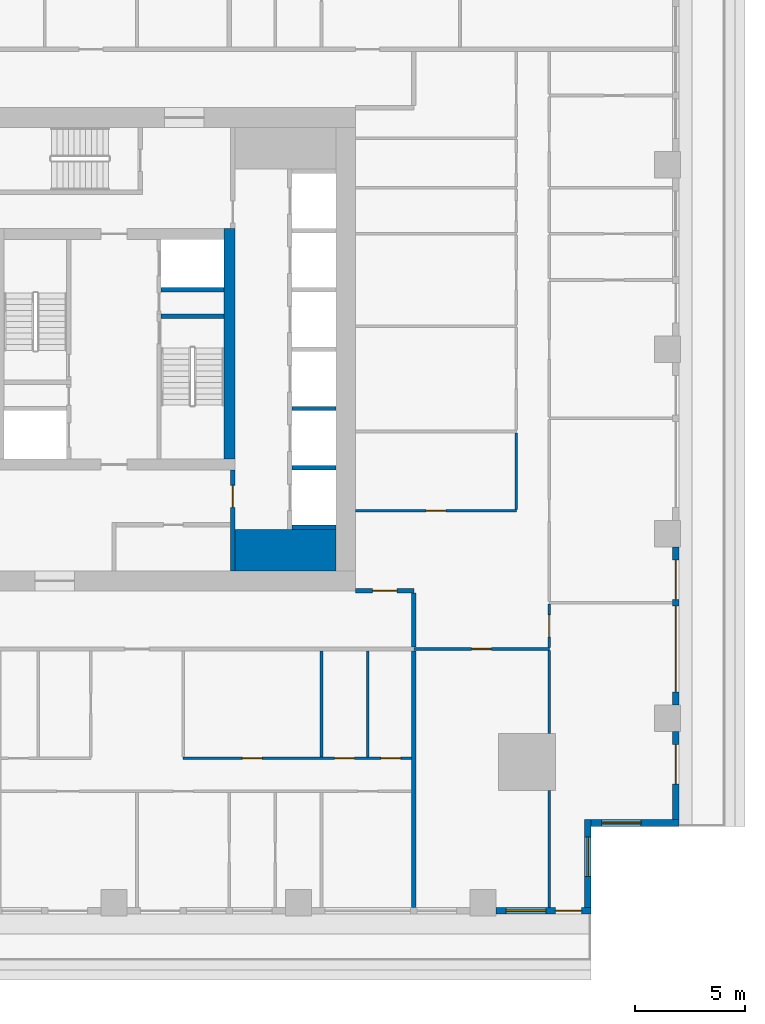
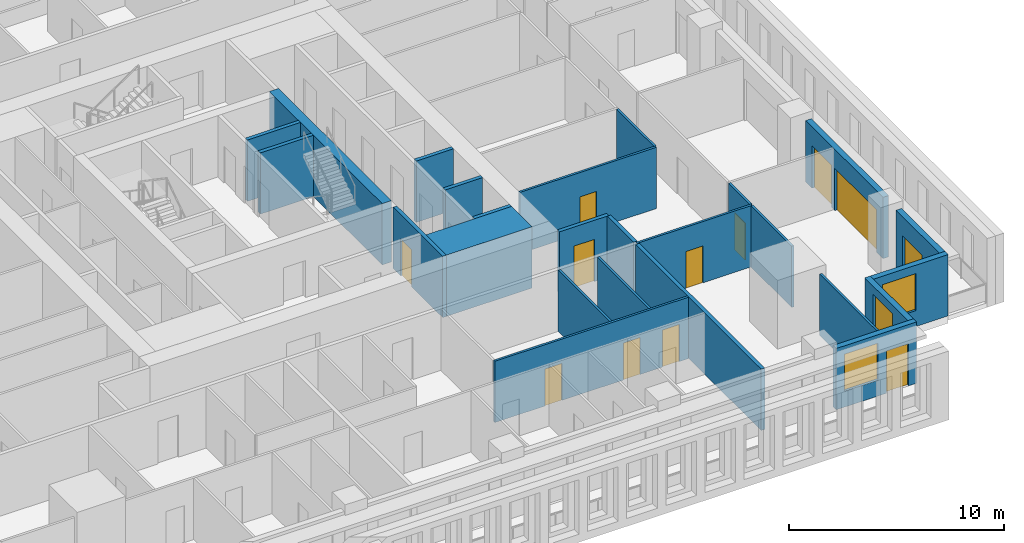
# One storey, part 5 of 16: 25 walls, 12 doors, 3 windows, 15 openings.
"""IFC4 building model written with IfcOpenShell, lengths in metres."""

from ifc_helpers import new_model, si_unit, direction, frame, frame_2d, origin, place, context, subcontext, project, spatial, rectangle, extrude, material, layer, layer_set, type_object, element, fill, save


model = new_model("IFC4")

# Units and contexts
model_context = context("Model", 3, precision=1e-05, world=origin(), true_north=direction((0.0, 1.0)))
body_context = subcontext(model_context, "Body", "Model", "MODEL_VIEW")
ifc_project = project(units=[si_unit("LENGTHUNIT", "METRE"), si_unit("AREAUNIT", "SQUARE_METRE"), si_unit("VOLUMEUNIT", "CUBIC_METRE"), si_unit("PLANEANGLEUNIT", "RADIAN"), si_unit("MASSUNIT", "GRAM", prefix="KILO")], contexts=[model_context])

# Site, building, storey
site_placement = place(None, origin())
site = spatial("IfcSite", under=ifc_project, at=site_placement, CompositionType="ELEMENT")
building_placement = place(site_placement, origin())
building = spatial("IfcBuilding", under=site, at=building_placement, Name="Khepri Terraces", CompositionType="ELEMENT")
storey_placement = place(building_placement, frame((0.0, 0.0, 141.60009765625)))
storey = spatial("IfcBuildingStorey", under=building, at=storey_placement, Name="L33", CompositionType="ELEMENT", Elevation=141.60009765625)

# Walls
ifc_material_1 = material(Name="Concrete C60/75", Category="concrete")
ifc_layer_1 = layer(ifc_material_1, 1.89990234375, Name="Concrete C60/75", Category="concrete")
ifc_layer_set_1 = layer_set([ifc_layer_1], Name="Concrete C60/75")
wall_type_1 = type_object("IfcWallType", Name="Core wall 1900 C60/75", PredefinedType="SHEAR", material=ifc_layer_set_1)
wall_1_placement = place(storey_placement, frame((5.5, -9.14990234375, 0.0), z_axis=(0.0, 0.0, 1.0), x_axis=(1.0, 0.0, 0.0)))
element("IfcWall", 1, at=wall_1_placement, inside=storey, type_object=wall_type_1, Name="Core wall PR02 L33", PredefinedType="SHEAR", context=body_context, shape_type="SweptSolid", body=[
    extrude(rectangle(XDim=4.60009765625, YDim=1.89990234375, at=frame_2d((2.300048828125, 0.0))), origin(), (0.0, 0.0, 1.0), 3.47998046875),
])
ifc_layer_2 = layer(ifc_material_1, 0.199951171875, Name="Concrete C60/75", Category="concrete")
ifc_layer_set_2 = layer_set([ifc_layer_2], Name="Concrete C60/75")
wall_type_2 = type_object("IfcWallType", Name="Core wall 200 C60/75", PredefinedType="SHEAR", material=ifc_layer_set_2)
wall_2_placement = place(storey_placement, frame((2.14990234375, 1.5, 0.0), z_axis=(0.0, 0.0, 1.0), x_axis=(1.0, 0.0, 0.0)))
element("IfcWall", 2, at=wall_2_placement, inside=storey, type_object=wall_type_2, Name="Core wall ST04 L33", PredefinedType="SHEAR", context=body_context, shape_type="SweptSolid", body=[
    extrude(rectangle(XDim=2.85009765625, YDim=0.199951171875, at=frame_2d((1.425048828125, 0.0))), origin(), (0.0, 0.0, 1.0), 3.47998046875),
])
for number, where, z_axis, x_axis, name in (
    (3, (8.10009765625, -8.10009765625, 0.0), (0.0, 0.0, 1.0), (1.0, 0.0, 0.0), "Core wall SH03 L33"),
    (4, (8.10009765625, -5.39990234375, 0.0), (0.0, 0.0, 1.0), (1.0, 0.0, 0.0), "Core wall SH04 L33"),
    (5, (8.10009765625, -2.699951171875, 0.0), (0.0, 0.0, 1.0), (1.0, 0.0, 0.0), "Core wall SH08 L33"),
):
    element("IfcWall", number, at=place(storey_placement, frame(where, z_axis=z_axis, x_axis=x_axis)), inside=storey, type_object=wall_type_2, Name=name, PredefinedType="SHEAR", context=body_context, shape_type="SweptSolid", body=[
        extrude(rectangle(XDim=2.0, YDim=0.199951171875, at=frame_2d((1.0, 0.0))), origin(), (0.0, 0.0, 1.0), 3.47998046875),
    ])
wall_3_placement = place(storey_placement, frame((2.14990234375, 2.699951171875, 0.0), z_axis=(0.0, 0.0, 1.0), x_axis=(1.0, 0.0, 0.0)))
element("IfcWall", 6, at=wall_3_placement, inside=storey, type_object=wall_type_2, Name="Core wall SH12 L33", PredefinedType="SHEAR", context=body_context, shape_type="SweptSolid", body=[
    extrude(rectangle(XDim=2.85009765625, YDim=0.199951171875, at=frame_2d((1.425048828125, 0.0))), origin(), (0.0, 0.0, 1.0), 3.47998046875),
])
ifc_layer_3 = layer(ifc_material_1, 0.5, Name="Concrete C60/75", Category="concrete")
ifc_layer_set_3 = layer_set([ifc_layer_3], Name="Concrete C60/75")
wall_type_3 = type_object("IfcWallType", Name="Core wall 500 C60/75", PredefinedType="SHEAR", material=ifc_layer_set_3)
wall_4_placement = place(storey_placement, frame((5.25, -5.0, 0.0), z_axis=(0.0, 0.0, 1.0), x_axis=(0.0, 1.0, 0.0)))
element("IfcWall", 7, at=wall_4_placement, inside=storey, type_object=wall_type_3, Name="Core wall BX03 L33", PredefinedType="SHEAR", context=body_context, shape_type="SweptSolid", body=[
    extrude(rectangle(XDim=10.5, YDim=0.5, at=frame_2d((5.25, 0.0))), origin(), (0.0, 0.0, 1.0), 3.47998046875),
])

# Wall, opening, door
ifc_material_2 = material(Name="Fire-rated gypsum board partition")
ifc_layer_4 = layer(ifc_material_2, 0.199951171875, Name="Fire-rated gypsum board partition")
ifc_layer_set_4 = layer_set([ifc_layer_4], Name="Fire-rated gypsum board partition")
wall_type_4 = type_object("IfcWallType", Name="WL-CORE-PART-200", PredefinedType="PARTITIONING", material=ifc_layer_set_4)
wall_5_placement = place(storey_placement, frame((5.39990234375, -10.10009765625, 0.0), z_axis=(0.0, 0.0, 1.0), x_axis=(0.0, 1.0, 0.0)))
wall_5 = element("IfcWall", 8, at=wall_5_placement, inside=storey, type_object=wall_type_4, Name="Core partition PT03 L33", PredefinedType="PARTITIONING", context=body_context, shape_type="SweptSolid", body=[
    extrude(rectangle(XDim=4.60009765625, YDim=0.199951171875, at=frame_2d((2.300048828125, 0.0))), origin(), (0.0, 0.0, 1.0), 3.47998046875),
])
opening_1_placement = place(wall_5_placement, frame((2.89990234375, 0.0, 0.0)))
opening_1 = element("IfcOpeningElement", 9, at=opening_1_placement, cuts=wall_5, Name="Opening L33-C19", PredefinedType="OPENING", context=body_context, shape_type="SweptSolid", body=[
    extrude(rectangle(XDim=1.0, YDim=2.10009765625, at=frame_2d((0.5, 1.050048828125))), frame((0.0, 0.10986328125, 0.0), z_axis=(0.0, -1.0, 0.0), x_axis=(1.0, 0.0, 0.0)), (0.0, 0.0, 1.0), 0.219970703125),
])
ifc_material_3 = material(Name="Painted steel", Category="steel")
door_type_1 = type_object("IfcDoorType", Name="DR-CORE-LOBBY-1000", OperationType="NOTDEFINED", PredefinedType="DOOR", material=ifc_material_3)
door_1_placement = place(opening_1_placement, origin())
door_1 = element("IfcDoor", 10, at=door_1_placement, inside=storey, type_object=door_type_1, Name="Lobby door L33-C19", OperationType="SINGLE_SWING_RIGHT", OverallHeight=2.10009765625, OverallWidth=1.0, PredefinedType="DOOR", context=body_context, shape_type="SweptSolid", body=[
    extrude(rectangle(XDim=1.0, YDim=2.10009765625, at=frame_2d((0.5, 1.050048828125))), frame((0.0, 0.02490234375, 0.0), z_axis=(0.0, -1.0, 0.0), x_axis=(1.0, 0.0, 0.0)), (0.0, 0.0, 1.0), 0.050048828125),
])
fill(opening_1, door_1)

# Walls
ifc_material_4 = material(Name="Fire-rated gypsum plasterboard partition, mineral wool")
ifc_layer_5 = layer(ifc_material_4, 0.199951171875, Name="Fire-rated gypsum plasterboard partition, mineral wool")
ifc_layer_set_5 = layer_set([ifc_layer_5], Name="Fire-rated gypsum plasterboard partition, mineral wool")
wall_type_5 = type_object("IfcWallType", Name="WL-CORR-200", PredefinedType="PARTITIONING", material=ifc_layer_set_5)
wall_6_placement = place(storey_placement, frame((13.64990234375, -25.419921875, 0.0), z_axis=(0.0, 0.0, 1.0), x_axis=(0.0, 1.0, 0.0)))
element("IfcWall", 11, at=wall_6_placement, inside=storey, type_object=wall_type_5, Name="Partition P-009 L33", PredefinedType="PARTITIONING", context=body_context, shape_type="SweptSolid", body=[
    extrude(rectangle(XDim=11.669921875, YDim=0.199951171875, at=frame_2d((5.8349609375, 0.0))), origin(), (0.0, 0.0, 1.0), 3.47998046875),
])
wall_7_placement = place(storey_placement, frame((13.64990234375, -13.550048828125, 0.0), z_axis=(0.0, 0.0, 1.0), x_axis=(0.0, 1.0, 0.0)))
element("IfcWall", 12, at=wall_7_placement, inside=storey, type_object=wall_type_5, Name="Partition P-032 L33", PredefinedType="PARTITIONING", context=body_context, shape_type="SweptSolid", body=[
    extrude(rectangle(XDim=2.449951171875, YDim=0.199951171875, at=frame_2d((1.22509765625, 0.0))), origin(), (0.0, 0.0, 1.0), 3.47998046875),
])

# Wall, opening, door
wall_8_placement = place(storey_placement, frame((11.0, -11.0, 0.0), z_axis=(0.0, 0.0, 1.0), x_axis=(1.0, 0.0, 0.0)))
wall_8 = element("IfcWall", 13, at=wall_8_placement, inside=storey, type_object=wall_type_5, Name="Partition P-038 L33", PredefinedType="PARTITIONING", context=body_context, shape_type="SweptSolid", body=[
    extrude(rectangle(XDim=2.64990234375, YDim=0.199951171875, at=frame_2d((1.324951171875, 0.0))), origin(), (0.0, 0.0, 1.0), 3.47998046875),
])
opening_2_placement = place(wall_8_placement, frame((0.77490234375, 0.0, 0.0)))
opening_2 = element("IfcOpeningElement", 14, at=opening_2_placement, cuts=wall_8, Name="Opening D1", PredefinedType="OPENING", context=body_context, shape_type="SweptSolid", body=[
    extrude(rectangle(XDim=1.10009765625, YDim=2.39990234375, at=frame_2d((0.550048828125, 1.199951171875))), frame((0.0, 0.10986328125, 0.0), z_axis=(0.0, -1.0, 0.0), x_axis=(1.0, 0.0, 0.0)), (0.0, 0.0, 1.0), 0.219970703125),
])
ifc_material_5 = material(Name="Solid-core timber door leaf, flat entrance door", Category="wood")
door_type_2 = type_object("IfcDoorType", Name="DR-ENT-1100", OperationType="NOTDEFINED", PredefinedType="DOOR", material=ifc_material_5)
door_2_placement = place(opening_2_placement, origin())
door_2 = element("IfcDoor", 15, at=door_2_placement, inside=storey, type_object=door_type_2, Name="Flat B1 entrance door", OperationType="SINGLE_SWING_LEFT", OverallHeight=2.39990234375, OverallWidth=1.10009765625, PredefinedType="DOOR", context=body_context, shape_type="SweptSolid", body=[
    extrude(rectangle(XDim=1.10009765625, YDim=2.39990234375, at=frame_2d((0.550048828125, 1.199951171875))), frame((0.0, 0.02490234375, 0.0), z_axis=(0.0, -1.0, 0.0), x_axis=(1.0, 0.0, 0.0)), (0.0, 0.0, 1.0), 0.050048828125),
])
fill(opening_2, door_2)

# Wall, opening, window
ifc_material_6 = material(Name="Precast concrete C50/60 warm stone", Category="masonry")
ifc_layer_6 = layer(ifc_material_6, 0.300048828125, Name="Precast concrete C50/60 warm stone", Category="masonry")
ifc_layer_set_6 = layer_set([ifc_layer_6], Name="Precast concrete C50/60 warm stone")
wall_type_6 = type_object("IfcWallType", Name="WL-EXT-PRECAST-300", PredefinedType="STANDARD", material=ifc_layer_set_6)
wall_9_placement = place(storey_placement, frame((21.719970703125, -21.570068359375, 0.0), z_axis=(0.0, 0.0, 1.0), x_axis=(1.0, 0.0, 0.0)))
wall_9 = element("IfcWall", 16, at=wall_9_placement, inside=storey, type_object=wall_type_6, Name="External wall L33 S", PredefinedType="STANDARD", context=body_context, shape_type="SweptSolid", body=[
    extrude(rectangle(XDim=4.0, YDim=0.300048828125, at=frame_2d((2.0, 0.0))), origin(), (0.0, 0.0, 1.0), 3.47998046875),
])
opening_3_placement = place(wall_9_placement, frame((0.47998046875, 0.0, 0.89990234375)))
opening_3 = element("IfcOpeningElement", 17, at=opening_3_placement, cuts=wall_9, Name="Opening W1", PredefinedType="OPENING", context=body_context, shape_type="SweptSolid", body=[
    extrude(rectangle(XDim=1.800048828125, YDim=2.10009765625, at=frame_2d((0.89990234375, 1.050048828125))), frame((0.0, 0.16015625, 0.0), z_axis=(0.0, -1.0, 0.0), x_axis=(1.0, 0.0, 0.0)), (0.0, 0.0, 1.0), 0.320068359375),
])
ifc_material_7 = material(Name="Clear glass", Category="glass")
window_type = type_object("IfcWindowType", Name="WIN-RES-1800x2100", PartitioningType="SINGLE_PANEL", PredefinedType="WINDOW", material=ifc_material_7)
window_1_placement = place(opening_3_placement, origin())
window_1 = element("IfcWindow", 18, at=window_1_placement, inside=storey, type_object=window_type, Name="Window L33 S", OverallHeight=2.10009765625, OverallWidth=1.800048828125, PartitioningType="SINGLE_PANEL", PredefinedType="WINDOW", context=body_context, shape_type="SweptSolid", body=[
    extrude(rectangle(XDim=1.800048828125, YDim=2.10009765625, at=frame_2d((0.89990234375, 1.050048828125))), frame((0.0, 0.030029296875, 0.0), z_axis=(0.0, -1.0, 0.0), x_axis=(1.0, 0.0, 0.0)), (0.0, 0.0, 1.0), 0.06005859375),
])
fill(opening_3, window_1)

# Wall, opening, door
wall_10_placement = place(storey_placement, frame((25.570068359375, -21.419921875, 0.0), z_axis=(0.0, 0.0, 1.0), x_axis=(0.0, 1.0, 0.0)))
wall_10 = element("IfcWall", 19, at=wall_10_placement, inside=storey, type_object=wall_type_6, Name="External wall L33 E", PredefinedType="STANDARD", context=body_context, shape_type="SweptSolid", body=[
    extrude(rectangle(XDim=4.02001953125, YDim=0.300048828125, at=frame_2d((2.010009765625, 0.0))), origin(), (0.0, 0.0, 1.0), 3.47998046875),
])
opening_4_placement = place(wall_10_placement, frame((1.6201171875, 0.0, 0.0)))
opening_4 = element("IfcOpeningElement", 20, at=opening_4_placement, cuts=wall_10, Name="Opening ED-L33-01", PredefinedType="OPENING", context=body_context, shape_type="SweptSolid", body=[
    extrude(rectangle(XDim=1.800048828125, YDim=2.39990234375, at=frame_2d((0.89990234375, 1.199951171875))), frame((0.0, 0.16015625, 0.0), z_axis=(0.0, -1.0, 0.0), x_axis=(1.0, 0.0, 0.0)), (0.0, 0.0, 1.0), 0.320068359375),
])
ifc_material_8 = material(Name="Anodised aluminium bronze glazed door", Category="aluminium")
door_type_3 = type_object("IfcDoorType", Name="DR-BAL-SLIDE-1800x2400", OperationType="NOTDEFINED", PredefinedType="DOOR", material=ifc_material_8)
door_3_placement = place(opening_4_placement, origin())
door_3 = element("IfcDoor", 21, at=door_3_placement, inside=storey, type_object=door_type_3, Name="Balcony door L33 E", OperationType="SLIDING_TO_RIGHT", OverallHeight=2.39990234375, OverallWidth=1.800048828125, PredefinedType="DOOR", context=body_context, shape_type="SweptSolid", body=[
    extrude(rectangle(XDim=1.800048828125, YDim=2.39990234375, at=frame_2d((0.89990234375, 1.199951171875))), frame((0.0, 0.02490234375, 0.0), z_axis=(0.0, -1.0, 0.0), x_axis=(1.0, 0.0, 0.0)), (0.0, 0.0, 1.0), 0.050048828125),
])
fill(opening_4, door_3)

# Wall, openings, doors
wall_11_placement = place(storey_placement, frame((25.570068359375, -16.199951171875, 0.0), z_axis=(0.0, 0.0, 1.0), x_axis=(0.0, 1.0, 0.0)))
wall_11 = element("IfcWall", 22, at=wall_11_placement, inside=storey, type_object=wall_type_6, Name="External wall L33 E", PredefinedType="STANDARD", context=body_context, shape_type="SweptSolid", body=[
    extrude(rectangle(XDim=7.199951171875, YDim=0.300048828125, at=frame_2d((3.60009765625, 0.0))), origin(), (0.0, 0.0, 1.0), 3.47998046875),
])
opening_5_placement = place(wall_11_placement, frame((0.60009765625, 0.0, 0.0)))
opening_5 = element("IfcOpeningElement", 23, at=opening_5_placement, cuts=wall_11, Name="Opening ED-L33-02", PredefinedType="OPENING", context=body_context, shape_type="SweptSolid", body=[
    extrude(rectangle(XDim=3.89990234375, YDim=2.39990234375, at=frame_2d((1.949951171875, 1.199951171875))), frame((0.0, 0.16015625, 0.0), z_axis=(0.0, -1.0, 0.0), x_axis=(1.0, 0.0, 0.0)), (0.0, 0.0, 1.0), 0.320068359375),
])
opening_6_placement = place(wall_11_placement, frame((4.800048828125, 0.0, 0.0)))
opening_6 = element("IfcOpeningElement", 24, at=opening_6_placement, cuts=wall_11, Name="Opening ED-L33-03", PredefinedType="OPENING", context=body_context, shape_type="SweptSolid", body=[
    extrude(rectangle(XDim=1.800048828125, YDim=2.39990234375, at=frame_2d((0.89990234375, 1.199951171875))), frame((0.0, 0.16015625, 0.0), z_axis=(0.0, -1.0, 0.0), x_axis=(1.0, 0.0, 0.0)), (0.0, 0.0, 1.0), 0.320068359375),
])
door_4_placement = place(opening_6_placement, origin())
door_4 = element("IfcDoor", 25, at=door_4_placement, inside=storey, type_object=door_type_3, Name="Balcony door L33 E", OperationType="SLIDING_TO_RIGHT", OverallHeight=2.39990234375, OverallWidth=1.800048828125, PredefinedType="DOOR", context=body_context, shape_type="SweptSolid", body=[
    extrude(rectangle(XDim=1.800048828125, YDim=2.39990234375, at=frame_2d((0.89990234375, 1.199951171875))), frame((0.0, 0.02490234375, 0.0), z_axis=(0.0, -1.0, 0.0), x_axis=(1.0, 0.0, 0.0)), (0.0, 0.0, 1.0), 0.050048828125),
])
fill(opening_6, door_4)
door_type_4 = type_object("IfcDoorType", Name="DR-BAL-SLIDE-3900x2400", OperationType="NOTDEFINED", PredefinedType="DOOR", material=ifc_material_8)
door_5_placement = place(opening_5_placement, origin())
door_5 = element("IfcDoor", 26, at=door_5_placement, inside=storey, type_object=door_type_4, Name="Balcony door L33 E", OperationType="SLIDING_TO_LEFT", OverallHeight=2.39990234375, OverallWidth=3.89990234375, PredefinedType="DOOR", context=body_context, shape_type="SweptSolid", body=[
    extrude(rectangle(XDim=3.89990234375, YDim=2.39990234375, at=frame_2d((1.949951171875, 1.199951171875))), frame((0.0, 0.02490234375, 0.0), z_axis=(0.0, -1.0, 0.0), x_axis=(1.0, 0.0, 0.0)), (0.0, 0.0, 1.0), 0.050048828125),
])
fill(opening_5, door_5)

# Wall, openings, door, window
wall_12_placement = place(storey_placement, frame((17.39990234375, -25.570068359375, 0.0), z_axis=(0.0, 0.0, 1.0), x_axis=(1.0, 0.0, 0.0)))
wall_12 = element("IfcWall", 27, at=wall_12_placement, inside=storey, type_object=wall_type_6, Name="External wall L33 S", PredefinedType="STANDARD", context=body_context, shape_type="SweptSolid", body=[
    extrude(rectangle(XDim=4.320068359375, YDim=0.300048828125, at=frame_2d((2.16015625, 0.0))), origin(), (0.0, 0.0, 1.0), 3.47998046875),
])
opening_7_placement = place(wall_12_placement, frame((2.695068359375, 0.0, 0.0)))
opening_7 = element("IfcOpeningElement", 28, at=opening_7_placement, cuts=wall_12, Name="Opening ED-L33-25", PredefinedType="OPENING", context=body_context, shape_type="SweptSolid", body=[
    extrude(rectangle(XDim=1.199951171875, YDim=2.39990234375, at=frame_2d((0.60009765625, 1.199951171875))), frame((0.0, 0.16015625, 0.0), z_axis=(0.0, -1.0, 0.0), x_axis=(1.0, 0.0, 0.0)), (0.0, 0.0, 1.0), 0.320068359375),
])
opening_8_placement = place(wall_12_placement, frame((0.4599609375, 0.0, 0.89990234375)))
opening_8 = element("IfcOpeningElement", 29, at=opening_8_placement, cuts=wall_12, Name="Opening W1", PredefinedType="OPENING", context=body_context, shape_type="SweptSolid", body=[
    extrude(rectangle(XDim=1.800048828125, YDim=2.10009765625, at=frame_2d((0.89990234375, 1.050048828125))), frame((0.0, 0.16015625, 0.0), z_axis=(0.0, -1.0, 0.0), x_axis=(1.0, 0.0, 0.0)), (0.0, 0.0, 1.0), 0.320068359375),
])
door_type_5 = type_object("IfcDoorType", Name="DR-BAL-SLIDE-1200x2400", OperationType="NOTDEFINED", PredefinedType="DOOR", material=ifc_material_8)
door_6_placement = place(opening_7_placement, origin())
door_6 = element("IfcDoor", 30, at=door_6_placement, inside=storey, type_object=door_type_5, Name="Balcony door L33 S", OperationType="SLIDING_TO_LEFT", OverallHeight=2.39990234375, OverallWidth=1.199951171875, PredefinedType="DOOR", context=body_context, shape_type="SweptSolid", body=[
    extrude(rectangle(XDim=1.199951171875, YDim=2.39990234375, at=frame_2d((0.60009765625, 1.199951171875))), frame((0.0, 0.02490234375, 0.0), z_axis=(0.0, -1.0, 0.0), x_axis=(1.0, 0.0, 0.0)), (0.0, 0.0, 1.0), 0.050048828125),
])
fill(opening_7, door_6)
window_2_placement = place(opening_8_placement, origin())
window_2 = element("IfcWindow", 31, at=window_2_placement, inside=storey, type_object=window_type, Name="Window L33 S", OverallHeight=2.10009765625, OverallWidth=1.800048828125, PartitioningType="SINGLE_PANEL", PredefinedType="WINDOW", context=body_context, shape_type="SweptSolid", body=[
    extrude(rectangle(XDim=1.800048828125, YDim=2.10009765625, at=frame_2d((0.89990234375, 1.050048828125))), frame((0.0, 0.030029296875, 0.0), z_axis=(0.0, -1.0, 0.0), x_axis=(1.0, 0.0, 0.0)), (0.0, 0.0, 1.0), 0.06005859375),
])
fill(opening_8, window_2)

# Wall, opening, window
wall_13_placement = place(storey_placement, frame((21.570068359375, -25.419921875, 0.0), z_axis=(0.0, 0.0, 1.0), x_axis=(0.0, 1.0, 0.0)))
wall_13 = element("IfcWall", 32, at=wall_13_placement, inside=storey, type_object=wall_type_6, Name="External wall L33 E", PredefinedType="STANDARD", context=body_context, shape_type="SweptSolid", body=[
    extrude(rectangle(XDim=4.0, YDim=0.300048828125, at=frame_2d((2.0, 0.0))), origin(), (0.0, 0.0, 1.0), 3.47998046875),
])
opening_9_placement = place(wall_13_placement, frame((1.419921875, 0.0, 0.89990234375)))
opening_9 = element("IfcOpeningElement", 33, at=opening_9_placement, cuts=wall_13, Name="Opening W1", PredefinedType="OPENING", context=body_context, shape_type="SweptSolid", body=[
    extrude(rectangle(XDim=1.800048828125, YDim=2.10009765625, at=frame_2d((0.89990234375, 1.050048828125))), frame((0.0, 0.16015625, 0.0), z_axis=(0.0, -1.0, 0.0), x_axis=(1.0, 0.0, 0.0)), (0.0, 0.0, 1.0), 0.320068359375),
])
window_3_placement = place(opening_9_placement, origin())
window_3 = element("IfcWindow", 34, at=window_3_placement, inside=storey, type_object=window_type, Name="Window L33 E", OverallHeight=2.10009765625, OverallWidth=1.800048828125, PartitioningType="SINGLE_PANEL", PredefinedType="WINDOW", context=body_context, shape_type="SweptSolid", body=[
    extrude(rectangle(XDim=1.800048828125, YDim=2.10009765625, at=frame_2d((0.89990234375, 1.050048828125))), frame((0.0, 0.030029296875, 0.0), z_axis=(0.0, -1.0, 0.0), x_axis=(1.0, 0.0, 0.0)), (0.0, 0.0, 1.0), 0.06005859375),
])
fill(opening_9, window_3)

# Wall
ifc_material_9 = material(Name="Gypsum plasterboard partition")
ifc_layer_7 = layer(ifc_material_9, 0.1201171875, Name="Gypsum plasterboard partition")
ifc_layer_set_7 = layer_set([ifc_layer_7], Name="Gypsum plasterboard partition")
wall_type_7 = type_object("IfcWallType", Name="WL-PART-120", PredefinedType="PARTITIONING", material=ifc_layer_set_7)
wall_14_placement = place(storey_placement, frame((19.820068359375, -25.419921875, 0.0), z_axis=(0.0, 0.0, 1.0), x_axis=(0.0, 1.0, 0.0)))
element("IfcWall", 35, at=wall_14_placement, inside=storey, type_object=wall_type_7, Name="Partition P-010 L33", PredefinedType="PARTITIONING", context=body_context, shape_type="SweptSolid", body=[
    extrude(rectangle(XDim=5.31982421875, YDim=0.1201171875, at=frame_2d((2.659912109375, 0.0))), origin(), (0.0, 0.0, 1.0), 3.47998046875),
])

# Wall, openings, doors
wall_15_placement = place(storey_placement, frame((3.14990234375, -18.6201171875, 0.0), z_axis=(0.0, 0.0, 1.0), x_axis=(1.0, 0.0, 0.0)))
wall_15 = element("IfcWall", 36, at=wall_15_placement, inside=storey, type_object=wall_type_7, Name="Partition P-016 L33", PredefinedType="PARTITIONING", context=body_context, shape_type="SweptSolid", body=[
    extrude(rectangle(XDim=10.400146484375, YDim=0.1201171875, at=frame_2d((5.2001953125, 0.0))), origin(), (0.0, 0.0, 1.0), 3.47998046875),
])
opening_10_placement = place(wall_15_placement, frame((2.699951171875, 0.0, 0.0)))
opening_10 = element("IfcOpeningElement", 37, at=opening_10_placement, cuts=wall_15, Name="Opening D3", PredefinedType="OPENING", context=body_context, shape_type="SweptSolid", body=[
    extrude(rectangle(XDim=0.89990234375, YDim=2.10009765625, at=frame_2d((0.449951171875, 1.050048828125))), frame((0.0, 0.070068359375, 0.0), z_axis=(0.0, -1.0, 0.0), x_axis=(1.0, 0.0, 0.0)), (0.0, 0.0, 1.0), 0.14013671875),
])
opening_11_placement = place(wall_15_placement, frame((6.89990234375, 0.0, 0.0)))
opening_11 = element("IfcOpeningElement", 38, at=opening_11_placement, cuts=wall_15, Name="Opening D3", PredefinedType="OPENING", context=body_context, shape_type="SweptSolid", body=[
    extrude(rectangle(XDim=0.89990234375, YDim=2.10009765625, at=frame_2d((0.449951171875, 1.050048828125))), frame((0.0, 0.070068359375, 0.0), z_axis=(0.0, -1.0, 0.0), x_axis=(1.0, 0.0, 0.0)), (0.0, 0.0, 1.0), 0.14013671875),
])
opening_12_placement = place(wall_15_placement, frame((9.0, 0.0, 0.0)))
opening_12 = element("IfcOpeningElement", 39, at=opening_12_placement, cuts=wall_15, Name="Opening D3", PredefinedType="OPENING", context=body_context, shape_type="SweptSolid", body=[
    extrude(rectangle(XDim=0.89990234375, YDim=2.10009765625, at=frame_2d((0.449951171875, 1.050048828125))), frame((0.0, 0.070068359375, 0.0), z_axis=(0.0, -1.0, 0.0), x_axis=(1.0, 0.0, 0.0)), (0.0, 0.0, 1.0), 0.14013671875),
])
ifc_material_10 = material(Name="Timber door leaf", Category="wood")
door_type_6 = type_object("IfcDoorType", Name="DR-INT-900", OperationType="NOTDEFINED", PredefinedType="DOOR", material=ifc_material_10)
door_7_placement = place(opening_10_placement, origin())
door_7 = element("IfcDoor", 40, at=door_7_placement, inside=storey, type_object=door_type_6, Name="Door Kitchen", OperationType="SINGLE_SWING_LEFT", OverallHeight=2.10009765625, OverallWidth=0.89990234375, PredefinedType="DOOR", context=body_context, shape_type="SweptSolid", body=[
    extrude(rectangle(XDim=0.89990234375, YDim=2.10009765625, at=frame_2d((0.449951171875, 1.050048828125))), frame((0.0, 0.02490234375, 0.0), z_axis=(0.0, -1.0, 0.0), x_axis=(1.0, 0.0, 0.0)), (0.0, 0.0, 1.0), 0.050048828125),
])
fill(opening_10, door_7)
door_8_placement = place(opening_11_placement, origin())
door_8 = element("IfcDoor", 41, at=door_8_placement, inside=storey, type_object=door_type_6, Name="Door Service Store", OperationType="SINGLE_SWING_RIGHT", OverallHeight=2.10009765625, OverallWidth=0.89990234375, PredefinedType="DOOR", context=body_context, shape_type="SweptSolid", body=[
    extrude(rectangle(XDim=0.89990234375, YDim=2.10009765625, at=frame_2d((0.449951171875, 1.050048828125))), frame((0.0, 0.02490234375, 0.0), z_axis=(0.0, -1.0, 0.0), x_axis=(1.0, 0.0, 0.0)), (0.0, 0.0, 1.0), 0.050048828125),
])
fill(opening_11, door_8)
door_9_placement = place(opening_12_placement, origin())
door_9 = element("IfcDoor", 42, at=door_9_placement, inside=storey, type_object=door_type_6, Name="Door Utility Room", OperationType="SINGLE_SWING_RIGHT", OverallHeight=2.10009765625, OverallWidth=0.89990234375, PredefinedType="DOOR", context=body_context, shape_type="SweptSolid", body=[
    extrude(rectangle(XDim=0.89990234375, YDim=2.10009765625, at=frame_2d((0.449951171875, 1.050048828125))), frame((0.0, 0.02490234375, 0.0), z_axis=(0.0, -1.0, 0.0), x_axis=(1.0, 0.0, 0.0)), (0.0, 0.0, 1.0), 0.050048828125),
])
fill(opening_12, door_9)

# Walls
for number, where, z_axis, x_axis, name in (
    (43, (9.449951171875, -18.56005859375, 0.0), (0.0, 0.0, 1.0), (0.0, 1.0, 0.0), "Partition P-020 L33"),
    (44, (11.550048828125, -18.56005859375, 0.0), (0.0, 0.0, 1.0), (0.0, 1.0, 0.0), "Partition P-021 L33"),
):
    element("IfcWall", number, at=place(storey_placement, frame(where, z_axis=z_axis, x_axis=x_axis)), inside=storey, type_object=wall_type_7, Name=name, PredefinedType="PARTITIONING", context=body_context, shape_type="SweptSolid", body=[
        extrude(rectangle(XDim=4.81005859375, YDim=0.1201171875, at=frame_2d((2.405029296875, 0.0))), origin(), (0.0, 0.0, 1.0), 3.47998046875),
    ])
wall_16_placement = place(storey_placement, frame((19.820068359375, -17.5, 0.0), z_axis=(0.0, 0.0, 1.0), x_axis=(0.0, 1.0, 0.0)))
element("IfcWall", 45, at=wall_16_placement, inside=storey, type_object=wall_type_7, Name="Partition P-025 L33", PredefinedType="PARTITIONING", context=body_context, shape_type="SweptSolid", body=[
    extrude(rectangle(XDim=3.7900390625, YDim=0.1201171875, at=frame_2d((1.89501953125, 0.0))), origin(), (0.0, 0.0, 1.0), 3.47998046875),
])

# Wall, opening, door
wall_17_placement = place(storey_placement, frame((13.64990234375, -13.64990234375, 0.0), z_axis=(0.0, 0.0, 1.0), x_axis=(1.0, 0.0, 0.0)))
wall_17 = element("IfcWall", 46, at=wall_17_placement, inside=storey, type_object=wall_type_7, Name="Partition P-027 L33", PredefinedType="PARTITIONING", context=body_context, shape_type="SweptSolid", body=[
    extrude(rectangle(XDim=6.170166015625, YDim=0.1201171875, at=frame_2d((3.0849609375, 0.0))), origin(), (0.0, 0.0, 1.0), 3.47998046875),
])
opening_13_placement = place(wall_17_placement, frame((2.635009765625, 0.0, 0.0)))
opening_13 = element("IfcOpeningElement", 47, at=opening_13_placement, cuts=wall_17, Name="Opening D3", PredefinedType="OPENING", context=body_context, shape_type="SweptSolid", body=[
    extrude(rectangle(XDim=0.89990234375, YDim=2.10009765625, at=frame_2d((0.449951171875, 1.050048828125))), frame((0.0, 0.070068359375, 0.0), z_axis=(0.0, -1.0, 0.0), x_axis=(1.0, 0.0, 0.0)), (0.0, 0.0, 1.0), 0.14013671875),
])
door_10_placement = place(opening_13_placement, frame((0.89990234375, 0.0, 0.0), z_axis=(0.0, 0.0, 1.0), x_axis=(-1.0, 0.0, 0.0)))
door_10 = element("IfcDoor", 48, at=door_10_placement, inside=storey, type_object=door_type_6, Name="Door Home Gym", OperationType="SINGLE_SWING_RIGHT", OverallHeight=2.10009765625, OverallWidth=0.89990234375, PredefinedType="DOOR", context=body_context, shape_type="SweptSolid", body=[
    extrude(rectangle(XDim=0.89990234375, YDim=2.10009765625, at=frame_2d((0.449951171875, 1.050048828125))), frame((0.0, 0.02490234375, 0.0), z_axis=(0.0, -1.0, 0.0), x_axis=(1.0, 0.0, 0.0)), (0.0, 0.0, 1.0), 0.050048828125),
])
fill(opening_13, door_10)

wall_18_placement = place(storey_placement, frame((19.820068359375, -13.590087890625, 0.0), z_axis=(0.0, 0.0, 1.0), x_axis=(0.0, 1.0, 0.0)))
wall_18 = element("IfcWall", 49, at=wall_18_placement, inside=storey, type_object=wall_type_7, Name="Partition P-028 L33", PredefinedType="PARTITIONING", context=body_context, shape_type="SweptSolid", body=[
    extrude(rectangle(XDim=1.97998046875, YDim=0.1201171875, at=frame_2d((0.989990234375, 0.0))), origin(), (0.0, 0.0, 1.0), 3.47998046875),
])
opening_14_placement = place(wall_18_placement, frame((0.489990234375, 0.0, 0.0)))
opening_14 = element("IfcOpeningElement", 50, at=opening_14_placement, cuts=wall_18, Name="Opening D2", PredefinedType="OPENING", context=body_context, shape_type="SweptSolid", body=[
    extrude(rectangle(XDim=1.0, YDim=2.10009765625, at=frame_2d((0.5, 1.050048828125))), frame((0.0, 0.070068359375, 0.0), z_axis=(0.0, -1.0, 0.0), x_axis=(1.0, 0.0, 0.0)), (0.0, 0.0, 1.0), 0.14013671875),
])
ifc_material_11 = material(Name="Timber door leaf, living room door", Category="wood")
door_type_7 = type_object("IfcDoorType", Name="DR-INT-1000", OperationType="NOTDEFINED", PredefinedType="DOOR", material=ifc_material_11)
door_11_placement = place(opening_14_placement, frame((1.0, 0.0, 0.0), z_axis=(0.0, 0.0, 1.0), x_axis=(-1.0, 0.0, 0.0)))
door_11 = element("IfcDoor", 51, at=door_11_placement, inside=storey, type_object=door_type_7, Name="Door Living Room", OperationType="SINGLE_SWING_RIGHT", OverallHeight=2.10009765625, OverallWidth=1.0, PredefinedType="DOOR", context=body_context, shape_type="SweptSolid", body=[
    extrude(rectangle(XDim=1.0, YDim=2.10009765625, at=frame_2d((0.5, 1.050048828125))), frame((0.0, 0.02490234375, 0.0), z_axis=(0.0, -1.0, 0.0), x_axis=(1.0, 0.0, 0.0)), (0.0, 0.0, 1.0), 0.050048828125),
])
fill(opening_14, door_11)

wall_19_placement = place(storey_placement, frame((11.0, -7.35009765625, 0.0), z_axis=(0.0, 0.0, 1.0), x_axis=(1.0, 0.0, 0.0)))
wall_19 = element("IfcWall", 52, at=wall_19_placement, inside=storey, type_object=wall_type_7, Name="Partition P-042 L33", PredefinedType="PARTITIONING", context=body_context, shape_type="SweptSolid", body=[
    extrude(rectangle(XDim=7.320068359375, YDim=0.1201171875, at=frame_2d((3.66015625, 0.0))), origin(), (0.0, 0.0, 1.0), 3.47998046875),
])
opening_15_placement = place(wall_19_placement, frame((3.2099609375, 0.0, 0.0)))
opening_15 = element("IfcOpeningElement", 53, at=opening_15_placement, cuts=wall_19, Name="Opening D3", PredefinedType="OPENING", context=body_context, shape_type="SweptSolid", body=[
    extrude(rectangle(XDim=0.89990234375, YDim=2.10009765625, at=frame_2d((0.449951171875, 1.050048828125))), frame((0.0, 0.070068359375, 0.0), z_axis=(0.0, -1.0, 0.0), x_axis=(1.0, 0.0, 0.0)), (0.0, 0.0, 1.0), 0.14013671875),
])
door_12_placement = place(opening_15_placement, origin())
door_12 = element("IfcDoor", 54, at=door_12_placement, inside=storey, type_object=door_type_6, Name="Door Kitchen", OperationType="SINGLE_SWING_RIGHT", OverallHeight=2.10009765625, OverallWidth=0.89990234375, PredefinedType="DOOR", context=body_context, shape_type="SweptSolid", body=[
    extrude(rectangle(XDim=0.89990234375, YDim=2.10009765625, at=frame_2d((0.449951171875, 1.050048828125))), frame((0.0, 0.02490234375, 0.0), z_axis=(0.0, -1.0, 0.0), x_axis=(1.0, 0.0, 0.0)), (0.0, 0.0, 1.0), 0.050048828125),
])
fill(opening_15, door_12)

# Wall
wall_20_placement = place(storey_placement, frame((18.320068359375, -7.2900390625, 0.0), z_axis=(0.0, 0.0, 1.0), x_axis=(0.0, 1.0, 0.0)))
element("IfcWall", 55, at=wall_20_placement, inside=storey, type_object=wall_type_7, Name="Partition P-044 L33", PredefinedType="PARTITIONING", context=body_context, shape_type="SweptSolid", body=[
    extrude(rectangle(XDim=3.47998046875, YDim=0.1201171875, at=frame_2d((1.739990234375, 0.0))), origin(), (0.0, 0.0, 1.0), 3.47998046875),
])

save(model, "model.ifc")
